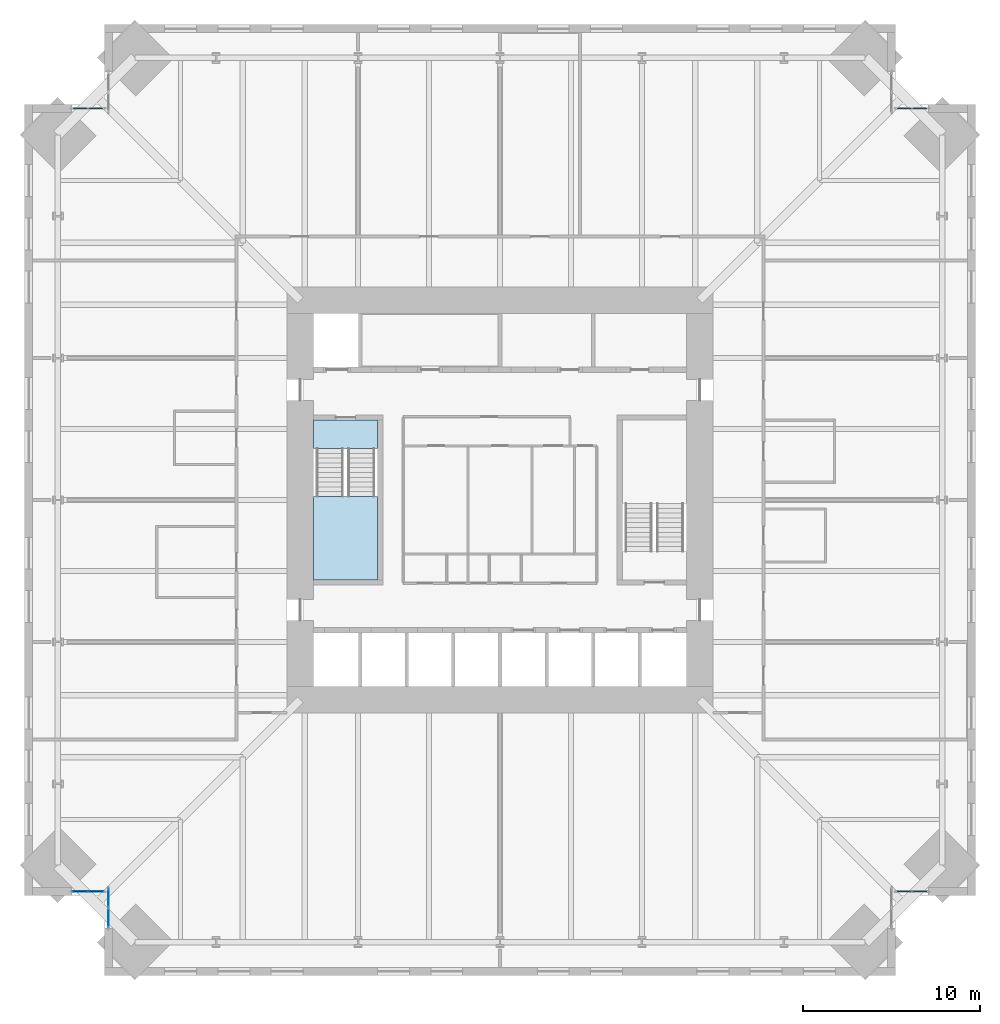
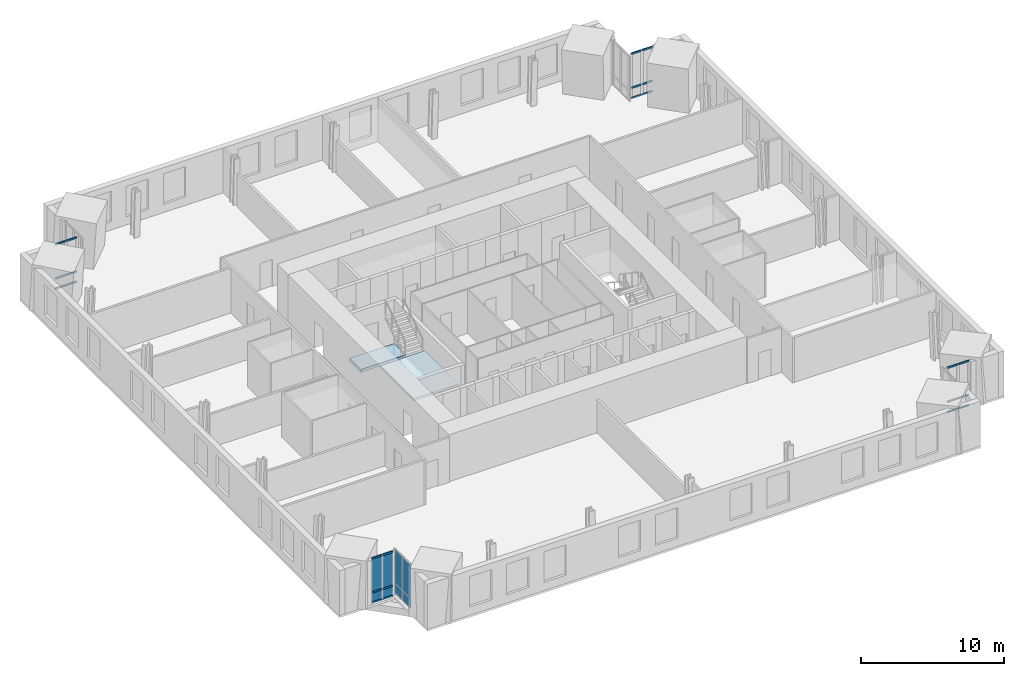
# One storey, part 9 of 17: 24 members, 8 plates, 2 slabs, 6 elements without a shape of their own.
"""IFC4 building model written with IfcOpenShell, lengths in metres."""

from ifc_helpers import new_model, si_unit, direction, frame, origin, origin_2d, place, context, subcontext, project, spatial, polyline, rectangle, hollow_rectangle, outline, extrude, material, layer, layer_set, material_profile, profile_set, type_object, element, aggregate, save


model = new_model("IFC4")

# Units and contexts
model_context = context("Model", 3, precision=1e-05, world=origin(), true_north=direction((0.0, 1.0)))
body_context = subcontext(model_context, "Body", "Model", "MODEL_VIEW")
ifc_project = project(units=[si_unit("LENGTHUNIT", "METRE"), si_unit("AREAUNIT", "SQUARE_METRE"), si_unit("VOLUMEUNIT", "CUBIC_METRE"), si_unit("PLANEANGLEUNIT", "RADIAN"), si_unit("MASSUNIT", "GRAM", prefix="KILO")], contexts=[model_context])

# Site, building, storey
site_placement = place(None, origin())
site = spatial("IfcSite", under=ifc_project, at=site_placement, CompositionType="ELEMENT")
building_placement = place(site_placement, origin())
building = spatial("IfcBuilding", under=site, at=building_placement, Name="Peilmerk Tower", CompositionType="ELEMENT")
storey_placement = place(building_placement, frame((0.0, 0.0, 147.800048828125)))
storey = spatial("IfcBuildingStorey", under=building, at=storey_placement, Name="L30", CompositionType="ELEMENT", Elevation=147.800048828125)

# Curtain wall, members
ifc_material_1 = material(Name="Aluminium stick curtain wall", Category="aluminium")
curtain_wall_type = type_object("IfcCurtainWallType", Name="CW3 stick curtain wall, 2250 module", PredefinedType="NOTDEFINED", material=ifc_material_1)
curtain_wall_1_placement = place(storey_placement, origin())
curtain_wall_1 = element("IfcCurtainWall", 1, at=curtain_wall_1_placement, inside=storey, type_object=curtain_wall_type, Name="Curtain wall CW3 NEB L30", PredefinedType="NOTDEFINED")
ifc_material_2 = material(Name="Aluminium EN AW-6063 T6", Category="aluminium")
ifc_material_profile = material_profile(ifc_material_2, hollow_rectangle(XDim=0.06494140625, YDim=0.14990234375, WallThickness=0.0029296875, at=origin_2d()), Name="AL 150x65x3")
ifc_profile_set = profile_set([ifc_material_profile], Name="Aluminium EN AW-6063 T6")
member_type = type_object("IfcMemberType", Name="CW3-T AL 150x65x3 transom", PredefinedType="USERDEFINED", material=ifc_profile_set)
member_1_placement = place(storey_placement, frame((22.364990234375, 22.074951171875, 0.032470703125), z_axis=(1.0, 0.0, 0.0), x_axis=(0.0, 1.0, 0.0)))
member_1 = element("IfcMember", 2, at=member_1_placement, type_object=member_type, Name="CW3 transom 1.1", ObjectType="TRANSOM", PredefinedType="USERDEFINED", context=body_context, shape_type="SweptSolid", body=[
    extrude(hollow_rectangle(XDim=0.06494140625, YDim=0.14990234375, WallThickness=0.0029296875, at=origin_2d()), origin(), (0.0, 0.0, 1.0), 0.82177734375),
])
member_2_placement = place(storey_placement, frame((22.364990234375, 22.074951171875, 0.89990234375), z_axis=(1.0, 0.0, 0.0), x_axis=(0.0, 1.0, 0.0)))
member_2 = element("IfcMember", 3, at=member_2_placement, type_object=member_type, Name="CW3 transom 1.2", ObjectType="TRANSOM", PredefinedType="USERDEFINED", context=body_context, shape_type="SweptSolid", body=[
    extrude(hollow_rectangle(XDim=0.06494140625, YDim=0.14990234375, WallThickness=0.0029296875, at=origin_2d()), origin(), (0.0, 0.0, 1.0), 0.82177734375),
])
member_3_placement = place(storey_placement, frame((22.364990234375, 22.074951171875, 3.79736328125), z_axis=(1.0, 0.0, 0.0), x_axis=(0.0, 1.0, 0.0)))
member_3 = element("IfcMember", 4, at=member_3_placement, type_object=member_type, Name="CW3 transom 1.3", ObjectType="TRANSOM", PredefinedType="USERDEFINED", context=body_context, shape_type="SweptSolid", body=[
    extrude(hollow_rectangle(XDim=0.06494140625, YDim=0.14990234375, WallThickness=0.0029296875, at=origin_2d()), origin(), (0.0, 0.0, 1.0), 0.82177734375),
])
member_4_placement = place(storey_placement, frame((23.251953125, 22.074951171875, 0.032470703125), z_axis=(1.0, 0.0, 0.0), x_axis=(0.0, 1.0, 0.0)))
member_4 = element("IfcMember", 5, at=member_4_placement, type_object=member_type, Name="CW3 transom 2.1", ObjectType="TRANSOM", PredefinedType="USERDEFINED", context=body_context, shape_type="SweptSolid", body=[
    extrude(hollow_rectangle(XDim=0.06494140625, YDim=0.14990234375, WallThickness=0.0029296875, at=origin_2d()), origin(), (0.0, 0.0, 1.0), 0.82177734375),
])
member_5_placement = place(storey_placement, frame((23.251953125, 22.074951171875, 0.89990234375), z_axis=(1.0, 0.0, 0.0), x_axis=(0.0, 1.0, 0.0)))
member_5 = element("IfcMember", 6, at=member_5_placement, type_object=member_type, Name="CW3 transom 2.2", ObjectType="TRANSOM", PredefinedType="USERDEFINED", context=body_context, shape_type="SweptSolid", body=[
    extrude(hollow_rectangle(XDim=0.06494140625, YDim=0.14990234375, WallThickness=0.0029296875, at=origin_2d()), origin(), (0.0, 0.0, 1.0), 0.82177734375),
])
member_6_placement = place(storey_placement, frame((23.251953125, 22.074951171875, 3.79736328125), z_axis=(1.0, 0.0, 0.0), x_axis=(0.0, 1.0, 0.0)))
member_6 = element("IfcMember", 7, at=member_6_placement, type_object=member_type, Name="CW3 transom 2.3", ObjectType="TRANSOM", PredefinedType="USERDEFINED", context=body_context, shape_type="SweptSolid", body=[
    extrude(hollow_rectangle(XDim=0.06494140625, YDim=0.14990234375, WallThickness=0.0029296875, at=origin_2d()), origin(), (0.0, 0.0, 1.0), 0.82177734375),
])
aggregate(curtain_wall_1, [member_1, member_2, member_3, member_4, member_5, member_6])

curtain_wall_2_placement = place(storey_placement, origin())
curtain_wall_2 = element("IfcCurtainWall", 8, at=curtain_wall_2_placement, inside=storey, type_object=curtain_wall_type, Name="Curtain wall CW3 SEB L30", PredefinedType="NOTDEFINED")
member_7_placement = place(storey_placement, frame((22.364990234375, -22.074951171875, 0.032470703125), z_axis=(1.0, 0.0, 0.0), x_axis=(0.0, 1.0, 0.0)))
member_7 = element("IfcMember", 9, at=member_7_placement, type_object=member_type, Name="CW3 transom 1.1", ObjectType="TRANSOM", PredefinedType="USERDEFINED", context=body_context, shape_type="SweptSolid", body=[
    extrude(hollow_rectangle(XDim=0.06494140625, YDim=0.14990234375, WallThickness=0.0029296875, at=origin_2d()), origin(), (0.0, 0.0, 1.0), 0.82177734375),
])
member_8_placement = place(storey_placement, frame((22.364990234375, -22.074951171875, 0.89990234375), z_axis=(1.0, 0.0, 0.0), x_axis=(0.0, 1.0, 0.0)))
member_8 = element("IfcMember", 10, at=member_8_placement, type_object=member_type, Name="CW3 transom 1.2", ObjectType="TRANSOM", PredefinedType="USERDEFINED", context=body_context, shape_type="SweptSolid", body=[
    extrude(hollow_rectangle(XDim=0.06494140625, YDim=0.14990234375, WallThickness=0.0029296875, at=origin_2d()), origin(), (0.0, 0.0, 1.0), 0.82177734375),
])
member_9_placement = place(storey_placement, frame((22.364990234375, -22.074951171875, 3.79736328125), z_axis=(1.0, 0.0, 0.0), x_axis=(0.0, 1.0, 0.0)))
member_9 = element("IfcMember", 11, at=member_9_placement, type_object=member_type, Name="CW3 transom 1.3", ObjectType="TRANSOM", PredefinedType="USERDEFINED", context=body_context, shape_type="SweptSolid", body=[
    extrude(hollow_rectangle(XDim=0.06494140625, YDim=0.14990234375, WallThickness=0.0029296875, at=origin_2d()), origin(), (0.0, 0.0, 1.0), 0.82177734375),
])
member_10_placement = place(storey_placement, frame((23.251953125, -22.074951171875, 0.032470703125), z_axis=(1.0, 0.0, 0.0), x_axis=(0.0, 1.0, 0.0)))
member_10 = element("IfcMember", 12, at=member_10_placement, type_object=member_type, Name="CW3 transom 2.1", ObjectType="TRANSOM", PredefinedType="USERDEFINED", context=body_context, shape_type="SweptSolid", body=[
    extrude(hollow_rectangle(XDim=0.06494140625, YDim=0.14990234375, WallThickness=0.0029296875, at=origin_2d()), origin(), (0.0, 0.0, 1.0), 0.82177734375),
])
member_11_placement = place(storey_placement, frame((23.251953125, -22.074951171875, 0.89990234375), z_axis=(1.0, 0.0, 0.0), x_axis=(0.0, 1.0, 0.0)))
member_11 = element("IfcMember", 13, at=member_11_placement, type_object=member_type, Name="CW3 transom 2.2", ObjectType="TRANSOM", PredefinedType="USERDEFINED", context=body_context, shape_type="SweptSolid", body=[
    extrude(hollow_rectangle(XDim=0.06494140625, YDim=0.14990234375, WallThickness=0.0029296875, at=origin_2d()), origin(), (0.0, 0.0, 1.0), 0.82177734375),
])
member_12_placement = place(storey_placement, frame((23.251953125, -22.074951171875, 3.79736328125), z_axis=(1.0, 0.0, 0.0), x_axis=(0.0, 1.0, 0.0)))
member_12 = element("IfcMember", 14, at=member_12_placement, type_object=member_type, Name="CW3 transom 2.3", ObjectType="TRANSOM", PredefinedType="USERDEFINED", context=body_context, shape_type="SweptSolid", body=[
    extrude(hollow_rectangle(XDim=0.06494140625, YDim=0.14990234375, WallThickness=0.0029296875, at=origin_2d()), origin(), (0.0, 0.0, 1.0), 0.82177734375),
])
aggregate(curtain_wall_2, [member_7, member_8, member_9, member_10, member_11, member_12])

curtain_wall_3_placement = place(storey_placement, origin())
curtain_wall_3 = element("IfcCurtainWall", 15, at=curtain_wall_3_placement, inside=storey, type_object=curtain_wall_type, Name="Curtain wall CW3 SWB L30", PredefinedType="NOTDEFINED")
member_13_placement = place(storey_placement, frame((-22.364990234375, -22.074951171875, 0.032470703125), z_axis=(-1.0, 0.0, 0.0), x_axis=(0.0, -1.0, 0.0)))
member_13 = element("IfcMember", 16, at=member_13_placement, type_object=member_type, Name="CW3 transom 1.1", ObjectType="TRANSOM", PredefinedType="USERDEFINED", context=body_context, shape_type="SweptSolid", body=[
    extrude(hollow_rectangle(XDim=0.06494140625, YDim=0.14990234375, WallThickness=0.0029296875, at=origin_2d()), origin(), (0.0, 0.0, 1.0), 0.82177734375),
])
member_14_placement = place(storey_placement, frame((-22.364990234375, -22.074951171875, 0.89990234375), z_axis=(-1.0, 0.0, 0.0), x_axis=(0.0, -1.0, 0.0)))
member_14 = element("IfcMember", 17, at=member_14_placement, type_object=member_type, Name="CW3 transom 1.2", ObjectType="TRANSOM", PredefinedType="USERDEFINED", context=body_context, shape_type="SweptSolid", body=[
    extrude(hollow_rectangle(XDim=0.06494140625, YDim=0.14990234375, WallThickness=0.0029296875, at=origin_2d()), origin(), (0.0, 0.0, 1.0), 0.82177734375),
])
member_15_placement = place(storey_placement, frame((-22.364990234375, -22.074951171875, 3.79736328125), z_axis=(-1.0, 0.0, 0.0), x_axis=(0.0, -1.0, 0.0)))
member_15 = element("IfcMember", 18, at=member_15_placement, type_object=member_type, Name="CW3 transom 1.3", ObjectType="TRANSOM", PredefinedType="USERDEFINED", context=body_context, shape_type="SweptSolid", body=[
    extrude(hollow_rectangle(XDim=0.06494140625, YDim=0.14990234375, WallThickness=0.0029296875, at=origin_2d()), origin(), (0.0, 0.0, 1.0), 0.82177734375),
])
member_16_placement = place(storey_placement, frame((-23.251953125, -22.074951171875, 0.032470703125), z_axis=(-1.0, 0.0, 0.0), x_axis=(0.0, -1.0, 0.0)))
member_16 = element("IfcMember", 19, at=member_16_placement, type_object=member_type, Name="CW3 transom 2.1", ObjectType="TRANSOM", PredefinedType="USERDEFINED", context=body_context, shape_type="SweptSolid", body=[
    extrude(hollow_rectangle(XDim=0.06494140625, YDim=0.14990234375, WallThickness=0.0029296875, at=origin_2d()), origin(), (0.0, 0.0, 1.0), 0.82177734375),
])
member_17_placement = place(storey_placement, frame((-23.251953125, -22.074951171875, 0.89990234375), z_axis=(-1.0, 0.0, 0.0), x_axis=(0.0, -1.0, 0.0)))
member_17 = element("IfcMember", 20, at=member_17_placement, type_object=member_type, Name="CW3 transom 2.2", ObjectType="TRANSOM", PredefinedType="USERDEFINED", context=body_context, shape_type="SweptSolid", body=[
    extrude(hollow_rectangle(XDim=0.06494140625, YDim=0.14990234375, WallThickness=0.0029296875, at=origin_2d()), origin(), (0.0, 0.0, 1.0), 0.82177734375),
])
member_18_placement = place(storey_placement, frame((-23.251953125, -22.074951171875, 3.79736328125), z_axis=(-1.0, 0.0, 0.0), x_axis=(0.0, -1.0, 0.0)))
member_18 = element("IfcMember", 21, at=member_18_placement, type_object=member_type, Name="CW3 transom 2.3", ObjectType="TRANSOM", PredefinedType="USERDEFINED", context=body_context, shape_type="SweptSolid", body=[
    extrude(hollow_rectangle(XDim=0.06494140625, YDim=0.14990234375, WallThickness=0.0029296875, at=origin_2d()), origin(), (0.0, 0.0, 1.0), 0.82177734375),
])

curtain_wall_4_placement = place(storey_placement, origin())
curtain_wall_4 = element("IfcCurtainWall", 22, at=curtain_wall_4_placement, inside=storey, type_object=curtain_wall_type, Name="Curtain wall CW3 NWB L30", PredefinedType="NOTDEFINED")
member_19_placement = place(storey_placement, frame((-22.364990234375, 22.074951171875, 0.032470703125), z_axis=(-1.0, 0.0, 0.0), x_axis=(0.0, -1.0, 0.0)))
member_19 = element("IfcMember", 23, at=member_19_placement, type_object=member_type, Name="CW3 transom 1.1", ObjectType="TRANSOM", PredefinedType="USERDEFINED", context=body_context, shape_type="SweptSolid", body=[
    extrude(hollow_rectangle(XDim=0.06494140625, YDim=0.14990234375, WallThickness=0.0029296875, at=origin_2d()), origin(), (0.0, 0.0, 1.0), 0.82177734375),
])
member_20_placement = place(storey_placement, frame((-22.364990234375, 22.074951171875, 0.89990234375), z_axis=(-1.0, 0.0, 0.0), x_axis=(0.0, -1.0, 0.0)))
member_20 = element("IfcMember", 24, at=member_20_placement, type_object=member_type, Name="CW3 transom 1.2", ObjectType="TRANSOM", PredefinedType="USERDEFINED", context=body_context, shape_type="SweptSolid", body=[
    extrude(hollow_rectangle(XDim=0.06494140625, YDim=0.14990234375, WallThickness=0.0029296875, at=origin_2d()), origin(), (0.0, 0.0, 1.0), 0.82177734375),
])
member_21_placement = place(storey_placement, frame((-22.364990234375, 22.074951171875, 3.79736328125), z_axis=(-1.0, 0.0, 0.0), x_axis=(0.0, -1.0, 0.0)))
member_21 = element("IfcMember", 25, at=member_21_placement, type_object=member_type, Name="CW3 transom 1.3", ObjectType="TRANSOM", PredefinedType="USERDEFINED", context=body_context, shape_type="SweptSolid", body=[
    extrude(hollow_rectangle(XDim=0.06494140625, YDim=0.14990234375, WallThickness=0.0029296875, at=origin_2d()), origin(), (0.0, 0.0, 1.0), 0.82177734375),
])
member_22_placement = place(storey_placement, frame((-23.251953125, 22.074951171875, 0.032470703125), z_axis=(-1.0, 0.0, 0.0), x_axis=(0.0, -1.0, 0.0)))
member_22 = element("IfcMember", 26, at=member_22_placement, type_object=member_type, Name="CW3 transom 2.1", ObjectType="TRANSOM", PredefinedType="USERDEFINED", context=body_context, shape_type="SweptSolid", body=[
    extrude(hollow_rectangle(XDim=0.06494140625, YDim=0.14990234375, WallThickness=0.0029296875, at=origin_2d()), origin(), (0.0, 0.0, 1.0), 0.82177734375),
])
member_23_placement = place(storey_placement, frame((-23.251953125, 22.074951171875, 0.89990234375), z_axis=(-1.0, 0.0, 0.0), x_axis=(0.0, -1.0, 0.0)))
member_23 = element("IfcMember", 27, at=member_23_placement, type_object=member_type, Name="CW3 transom 2.2", ObjectType="TRANSOM", PredefinedType="USERDEFINED", context=body_context, shape_type="SweptSolid", body=[
    extrude(hollow_rectangle(XDim=0.06494140625, YDim=0.14990234375, WallThickness=0.0029296875, at=origin_2d()), origin(), (0.0, 0.0, 1.0), 0.82177734375),
])
member_24_placement = place(storey_placement, frame((-23.251953125, 22.074951171875, 3.79736328125), z_axis=(-1.0, 0.0, 0.0), x_axis=(0.0, -1.0, 0.0)))
member_24 = element("IfcMember", 28, at=member_24_placement, type_object=member_type, Name="CW3 transom 2.3", ObjectType="TRANSOM", PredefinedType="USERDEFINED", context=body_context, shape_type="SweptSolid", body=[
    extrude(hollow_rectangle(XDim=0.06494140625, YDim=0.14990234375, WallThickness=0.0029296875, at=origin_2d()), origin(), (0.0, 0.0, 1.0), 0.82177734375),
])
aggregate(curtain_wall_4, [member_19, member_20, member_21, member_22, member_23, member_24])

# Curtain wall, plates
curtain_wall_5_placement = place(storey_placement, origin())
curtain_wall_5 = element("IfcCurtainWall", 29, at=curtain_wall_5_placement, inside=storey, type_object=curtain_wall_type, Name="Curtain wall CW3 SWA L30", PredefinedType="NOTDEFINED")
ifc_material_3 = material(Name="Clear insulated glazing unit", Category="glass")
ifc_layer_1 = layer(ifc_material_3, 0.028076171875)
ifc_layer_set_1 = layer_set([ifc_layer_1], Name="Clear insulated glazing unit")
plate_type = type_object("IfcPlateType", Name="CW3-P 28 glazed panel", PredefinedType="CURTAIN_PANEL", material=ifc_layer_set_1)
plate_1_placement = place(storey_placement, frame((-22.074951171875, -22.4384765625, 0.06494140625), z_axis=(0.0, 0.0, 1.0), x_axis=(0.0, -1.0, 0.0)))
plate_1 = element("IfcPlate", 30, at=plate_1_placement, type_object=plate_type, Name="CW3 panel 1.1", PredefinedType="CURTAIN_PANEL", context=body_context, shape_type="SweptSolid", body=[
    extrude(rectangle(XDim=1.046875, YDim=0.028076171875, at=origin_2d()), origin(), (0.0, 0.0, 1.0), 0.802490234375),
])
plate_2_placement = place(storey_placement, frame((-22.074951171875, -22.4384765625, 0.932373046875), z_axis=(0.0, 0.0, 1.0), x_axis=(0.0, -1.0, 0.0)))
plate_2 = element("IfcPlate", 31, at=plate_2_placement, type_object=plate_type, Name="CW3 panel 1.2", PredefinedType="CURTAIN_PANEL", context=body_context, shape_type="SweptSolid", body=[
    extrude(rectangle(XDim=1.046875, YDim=0.028076171875, at=origin_2d()), origin(), (0.0, 0.0, 1.0), 2.83251953125),
])
plate_3_placement = place(storey_placement, frame((-22.074951171875, -23.55029296875, 0.06494140625), z_axis=(0.0, 0.0, 1.0), x_axis=(0.0, -1.0, 0.0)))
plate_3 = element("IfcPlate", 32, at=plate_3_placement, type_object=plate_type, Name="CW3 panel 2.1", PredefinedType="CURTAIN_PANEL", context=body_context, shape_type="SweptSolid", body=[
    extrude(rectangle(XDim=1.046875, YDim=0.028076171875, at=origin_2d()), origin(), (0.0, 0.0, 1.0), 0.802490234375),
])
plate_4_placement = place(storey_placement, frame((-22.074951171875, -23.55029296875, 0.932373046875), z_axis=(0.0, 0.0, 1.0), x_axis=(0.0, -1.0, 0.0)))
plate_4 = element("IfcPlate", 33, at=plate_4_placement, type_object=plate_type, Name="CW3 panel 2.2", PredefinedType="CURTAIN_PANEL", context=body_context, shape_type="SweptSolid", body=[
    extrude(rectangle(XDim=1.046875, YDim=0.028076171875, at=origin_2d()), origin(), (0.0, 0.0, 1.0), 2.83251953125),
])
aggregate(curtain_wall_5, [plate_1, plate_2, plate_3, plate_4])

# Plate
plate_5_placement = place(storey_placement, frame((-22.77587890625, -22.074951171875, 0.06494140625), z_axis=(0.0, 0.0, 1.0), x_axis=(-1.0, 0.0, 0.0)))
plate_5 = element("IfcPlate", 34, at=plate_5_placement, type_object=plate_type, Name="CW3 panel 1.1", PredefinedType="CURTAIN_PANEL", context=body_context, shape_type="SweptSolid", body=[
    extrude(rectangle(XDim=0.82177734375, YDim=0.028076171875, at=origin_2d()), origin(), (0.0, 0.0, 1.0), 0.802490234375),
])

plate_6_placement = place(storey_placement, frame((-22.77587890625, -22.074951171875, 0.932373046875), z_axis=(0.0, 0.0, 1.0), x_axis=(-1.0, 0.0, 0.0)))
plate_6 = element("IfcPlate", 35, at=plate_6_placement, type_object=plate_type, Name="CW3 panel 1.2", PredefinedType="CURTAIN_PANEL", context=body_context, shape_type="SweptSolid", body=[
    extrude(rectangle(XDim=0.82177734375, YDim=0.028076171875, at=origin_2d()), origin(), (0.0, 0.0, 1.0), 2.83251953125),
])

plate_7_placement = place(storey_placement, frame((-23.662841796875, -22.074951171875, 0.06494140625), z_axis=(0.0, 0.0, 1.0), x_axis=(-1.0, 0.0, 0.0)))
plate_7 = element("IfcPlate", 36, at=plate_7_placement, type_object=plate_type, Name="CW3 panel 2.1", PredefinedType="CURTAIN_PANEL", context=body_context, shape_type="SweptSolid", body=[
    extrude(rectangle(XDim=0.82177734375, YDim=0.028076171875, at=origin_2d()), origin(), (0.0, 0.0, 1.0), 0.802490234375),
])

plate_8_placement = place(storey_placement, frame((-23.662841796875, -22.074951171875, 0.932373046875), z_axis=(0.0, 0.0, 1.0), x_axis=(-1.0, 0.0, 0.0)))
plate_8 = element("IfcPlate", 37, at=plate_8_placement, type_object=plate_type, Name="CW3 panel 2.2", PredefinedType="CURTAIN_PANEL", context=body_context, shape_type="SweptSolid", body=[
    extrude(rectangle(XDim=0.82177734375, YDim=0.028076171875, at=origin_2d()), origin(), (0.0, 0.0, 1.0), 2.83251953125),
])

aggregate(curtain_wall_3, [member_13, member_14, member_15, plate_5, plate_6, member_16, member_17, member_18, plate_7, plate_8])

# Stair, slabs
ifc_material_4 = material(Name="Precast concrete C45/55", Category="concrete")
stair_type = type_object("IfcStairType", Name="ST1 22 risers of 181.8", PredefinedType="HALF_TURN_STAIR", material=ifc_material_4)
stair_placement = place(storey_placement, origin())
stair = element("IfcStair", 38, at=stair_placement, inside=storey, type_object=stair_type, Name="Stair 1 L30 to L31", PredefinedType="HALF_TURN_STAIR")
ifc_material_5 = material(Name="Concrete C35/45", Category="concrete")
ifc_layer_2 = layer(ifc_material_5, 0.199951171875)
ifc_layer_set_2 = layer_set([ifc_layer_2], Name="Concrete C35/45")
slab_type_1 = type_object("IfcSlabType", Name="SL1 200 concrete stair landing", PredefinedType="LANDING", material=ifc_layer_set_2)
slab_1_placement = place(storey_placement, frame((0.0, 0.0, 1.800048828125)))
slab_1 = element("IfcSlab", 39, at=slab_1_placement, type_object=slab_type_1, Name="ST1 landing 1", PredefinedType="LANDING", context=body_context, shape_type="SweptSolid", body=[
    extrude(outline(polyline([(-10.5, -4.5), (-6.89990234375, -4.5), (-6.89990234375, 0.199951171875), (-10.5, 0.199951171875), (-10.5, -4.5)])), origin(), (0.0, 0.0, 1.0), 0.199951171875),
])
ifc_layer_3 = layer(ifc_material_5, 0.25)
ifc_layer_set_3 = layer_set([ifc_layer_3], Name="Concrete C35/45")
slab_type_2 = type_object("IfcSlabType", Name="SL2 250 concrete floor landing", PredefinedType="LANDING", material=ifc_layer_set_3)
slab_2_placement = place(storey_placement, frame((0.0, 0.0, -0.25)))
slab_2 = element("IfcSlab", 40, at=slab_2_placement, type_object=slab_type_2, Name="ST1 floor landing", PredefinedType="LANDING", context=body_context, shape_type="SweptSolid", body=[
    extrude(outline(polyline([(-10.5, 2.89990234375), (-6.89990234375, 2.89990234375), (-6.89990234375, 4.5), (-10.5, 4.5), (-10.5, 2.89990234375)])), origin(), (0.0, 0.0, 1.0), 0.25),
])
aggregate(stair, [slab_1, slab_2])

save(model, "model.ifc")
